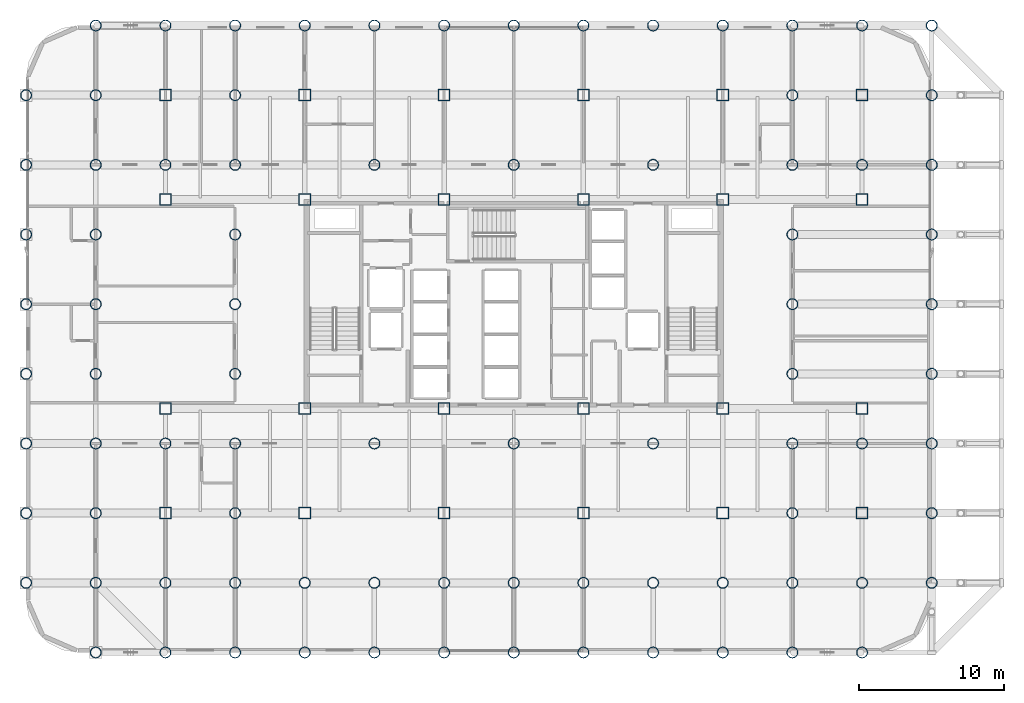
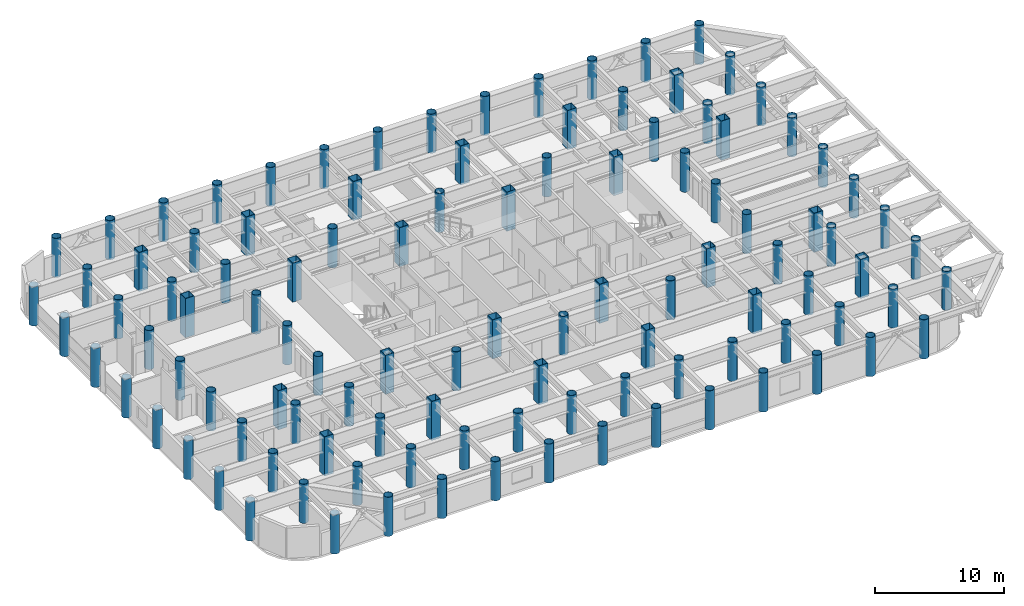
# One storey, part 1 of 26: 108 columns.
"""IFC4 building model written with IfcOpenShell, lengths in metres."""

from ifc_helpers import new_model, si_unit, direction, frame, origin, origin_2d, place, context, subcontext, project, spatial, hollow_rectangle, hollow_circle, extrude, material, material_profile, profile_set, type_object, element, save


model = new_model("IFC4")

# Units and contexts
model_context = context("Model", 3, precision=1e-05, world=origin(), true_north=direction((0.0, 1.0)))
body_context = subcontext(model_context, "Body", "Model", "MODEL_VIEW")
ifc_project = project(units=[si_unit("LENGTHUNIT", "METRE"), si_unit("AREAUNIT", "SQUARE_METRE"), si_unit("VOLUMEUNIT", "CUBIC_METRE"), si_unit("PLANEANGLEUNIT", "RADIAN"), si_unit("MASSUNIT", "GRAM", prefix="KILO")], contexts=[model_context])

# Site, building, storey
site_placement = place(None, origin())
site = spatial("IfcSite", under=ifc_project, at=site_placement, CompositionType="ELEMENT")
building_placement = place(site_placement, origin())
building = spatial("IfcBuilding", under=site, at=building_placement, Name="Kallvorn Hotel Tower", CompositionType="ELEMENT")
storey_placement = place(building_placement, frame((0.0, 0.0, 55.89990234375)))
storey = spatial("IfcBuildingStorey", under=building, at=storey_placement, Name="L12", CompositionType="ELEMENT", Elevation=55.89990234375)

# Columns
ifc_material_1 = material(Name="Structural steel S355J2H", Category="steel")
ifc_material_profile_1 = material_profile(ifc_material_1, hollow_circle(Radius=0.381103515625, WallThickness=0.031982421875, at=origin_2d()), Name="CHS 762x32")
ifc_profile_set_1 = profile_set([ifc_material_profile_1], Name="Structural steel S355J2H")
column_type_1 = type_object("IfcColumnType", Name="COL_CHS_762", PredefinedType="COLUMN", material=ifc_profile_set_1)
for number, where, z_axis, x_axis, name in (
    (1, (-33.60009765625, -19.199951171875, 0.0), (0.0, 0.0, 1.0), (1.0, 0.0, 0.0), "L12 Exoskeleton Column EC01"),
    (2, (-33.60009765625, -14.39990234375, 0.0), (0.0, 0.0, 1.0), (1.0, 0.0, 0.0), "L12 Exoskeleton Column EC02"),
    (3, (-33.60009765625, -9.60009765625, 0.0), (0.0, 0.0, 1.0), (1.0, 0.0, 0.0), "L12 Exoskeleton Column EC03"),
    (4, (-33.60009765625, -4.800048828125, 0.0), (0.0, 0.0, 1.0), (1.0, 0.0, 0.0), "L12 Exoskeleton Column EC04"),
    (5, (-33.60009765625, 0.0, 0.0), (0.0, 0.0, 1.0), (1.0, 0.0, 0.0), "L12 Exoskeleton Column EC05"),
    (6, (-33.60009765625, 4.800048828125, 0.0), (0.0, 0.0, 1.0), (1.0, 0.0, 0.0), "L12 Exoskeleton Column EC06"),
    (7, (-33.60009765625, 9.60009765625, 0.0), (0.0, 0.0, 1.0), (1.0, 0.0, 0.0), "L12 Exoskeleton Column EC07"),
    (8, (-33.60009765625, 14.39990234375, 0.0), (0.0, 0.0, 1.0), (1.0, 0.0, 0.0), "L12 Exoskeleton Column EC08"),
    (9, (-28.800048828125, -24.0, 0.0), (0.0, 0.0, 1.0), (1.0, 0.0, 0.0), "L12 Exoskeleton Column EC09"),
    (10, (-28.800048828125, -19.199951171875, 0.0), (0.0, 0.0, 1.0), (1.0, 0.0, 0.0), "L12 Exoskeleton Column EC10"),
    (11, (-28.800048828125, -14.39990234375, 0.0), (0.0, 0.0, 1.0), (1.0, 0.0, 0.0), "L12 Exoskeleton Column EC11"),
    (12, (-28.800048828125, -9.60009765625, 0.0), (0.0, 0.0, 1.0), (1.0, 0.0, 0.0), "L12 Exoskeleton Column EC12"),
    (13, (-28.800048828125, -4.800048828125, 0.0), (0.0, 0.0, 1.0), (1.0, 0.0, 0.0), "L12 Exoskeleton Column EC13"),
    (14, (-28.800048828125, 0.0, 0.0), (0.0, 0.0, 1.0), (1.0, 0.0, 0.0), "L12 Exoskeleton Column EC14"),
    (15, (-28.800048828125, 4.800048828125, 0.0), (0.0, 0.0, 1.0), (1.0, 0.0, 0.0), "L12 Exoskeleton Column EC15"),
    (16, (-28.800048828125, 9.60009765625, 0.0), (0.0, 0.0, 1.0), (1.0, 0.0, 0.0), "L12 Exoskeleton Column EC16"),
    (17, (-28.800048828125, 14.39990234375, 0.0), (0.0, 0.0, 1.0), (1.0, 0.0, 0.0), "L12 Exoskeleton Column EC17"),
    (18, (-28.800048828125, 19.199951171875, 0.0), (0.0, 0.0, 1.0), (1.0, 0.0, 0.0), "L12 Exoskeleton Column EC18"),
    (19, (-24.0, -24.0, 0.0), (0.0, 0.0, 1.0), (1.0, 0.0, 0.0), "L12 Exoskeleton Column EC19"),
    (20, (-24.0, -19.199951171875, 0.0), (0.0, 0.0, 1.0), (1.0, 0.0, 0.0), "L12 Exoskeleton Column EC20"),
    (21, (-24.0, -9.60009765625, 0.0), (0.0, 0.0, 1.0), (1.0, 0.0, 0.0), "L12 Exoskeleton Column EC21"),
    (22, (-24.0, 9.60009765625, 0.0), (0.0, 0.0, 1.0), (1.0, 0.0, 0.0), "L12 Exoskeleton Column EC22"),
    (23, (-24.0, 19.199951171875, 0.0), (0.0, 0.0, 1.0), (1.0, 0.0, 0.0), "L12 Exoskeleton Column EC23"),
    (24, (-19.199951171875, -24.0, 0.0), (0.0, 0.0, 1.0), (1.0, 0.0, 0.0), "L12 Exoskeleton Column EC24"),
    (25, (-19.199951171875, -19.199951171875, 0.0), (0.0, 0.0, 1.0), (1.0, 0.0, 0.0), "L12 Exoskeleton Column EC25"),
    (26, (-19.199951171875, -14.39990234375, 0.0), (0.0, 0.0, 1.0), (1.0, 0.0, 0.0), "L12 Exoskeleton Column EC26"),
    (27, (-19.199951171875, -9.60009765625, 0.0), (0.0, 0.0, 1.0), (1.0, 0.0, 0.0), "L12 Exoskeleton Column EC27"),
    (28, (-19.199951171875, -4.800048828125, 0.0), (0.0, 0.0, 1.0), (1.0, 0.0, 0.0), "L12 Exoskeleton Column EC28"),
    (29, (-19.199951171875, 0.0, 0.0), (0.0, 0.0, 1.0), (1.0, 0.0, 0.0), "L12 Exoskeleton Column EC29"),
    (30, (-19.199951171875, 4.800048828125, 0.0), (0.0, 0.0, 1.0), (1.0, 0.0, 0.0), "L12 Exoskeleton Column EC30"),
    (31, (-19.199951171875, 9.60009765625, 0.0), (0.0, 0.0, 1.0), (1.0, 0.0, 0.0), "L12 Exoskeleton Column EC31"),
    (32, (-19.199951171875, 14.39990234375, 0.0), (0.0, 0.0, 1.0), (1.0, 0.0, 0.0), "L12 Exoskeleton Column EC32"),
    (33, (-19.199951171875, 19.199951171875, 0.0), (0.0, 0.0, 1.0), (1.0, 0.0, 0.0), "L12 Exoskeleton Column EC33"),
    (34, (-14.39990234375, -24.0, 0.0), (0.0, 0.0, 1.0), (1.0, 0.0, 0.0), "L12 Exoskeleton Column EC34"),
    (35, (-14.39990234375, -19.199951171875, 0.0), (0.0, 0.0, 1.0), (1.0, 0.0, 0.0), "L12 Exoskeleton Column EC35"),
    (36, (-14.39990234375, 19.199951171875, 0.0), (0.0, 0.0, 1.0), (1.0, 0.0, 0.0), "L12 Exoskeleton Column EC36"),
    (37, (-9.60009765625, -24.0, 0.0), (0.0, 0.0, 1.0), (1.0, 0.0, 0.0), "L12 Exoskeleton Column EC37"),
    (38, (-9.60009765625, -19.199951171875, 0.0), (0.0, 0.0, 1.0), (1.0, 0.0, 0.0), "L12 Exoskeleton Column EC38"),
    (39, (-9.60009765625, -9.60009765625, 0.0), (0.0, 0.0, 1.0), (1.0, 0.0, 0.0), "L12 Exoskeleton Column EC39"),
    (40, (-9.60009765625, 9.60009765625, 0.0), (0.0, 0.0, 1.0), (1.0, 0.0, 0.0), "L12 Exoskeleton Column EC40"),
    (41, (-9.60009765625, 19.199951171875, 0.0), (0.0, 0.0, 1.0), (1.0, 0.0, 0.0), "L12 Exoskeleton Column EC41"),
    (42, (-4.800048828125, -24.0, 0.0), (0.0, 0.0, 1.0), (1.0, 0.0, 0.0), "L12 Exoskeleton Column EC42"),
    (43, (-4.800048828125, -19.199951171875, 0.0), (0.0, 0.0, 1.0), (1.0, 0.0, 0.0), "L12 Exoskeleton Column EC43"),
    (44, (-4.800048828125, 19.199951171875, 0.0), (0.0, 0.0, 1.0), (1.0, 0.0, 0.0), "L12 Exoskeleton Column EC44"),
    (45, (0.0, -24.0, 0.0), (0.0, 0.0, 1.0), (1.0, 0.0, 0.0), "L12 Exoskeleton Column EC45"),
    (46, (0.0, -19.199951171875, 0.0), (0.0, 0.0, 1.0), (1.0, 0.0, 0.0), "L12 Exoskeleton Column EC46"),
    (47, (0.0, -9.60009765625, 0.0), (0.0, 0.0, 1.0), (1.0, 0.0, 0.0), "L12 Exoskeleton Column EC47"),
    (48, (0.0, 9.60009765625, 0.0), (0.0, 0.0, 1.0), (1.0, 0.0, 0.0), "L12 Exoskeleton Column EC48"),
    (49, (0.0, 19.199951171875, 0.0), (0.0, 0.0, 1.0), (1.0, 0.0, 0.0), "L12 Exoskeleton Column EC49"),
    (50, (4.800048828125, -24.0, 0.0), (0.0, 0.0, 1.0), (1.0, 0.0, 0.0), "L12 Exoskeleton Column EC50"),
    (51, (4.800048828125, -19.199951171875, 0.0), (0.0, 0.0, 1.0), (1.0, 0.0, 0.0), "L12 Exoskeleton Column EC51"),
    (52, (4.800048828125, 19.199951171875, 0.0), (0.0, 0.0, 1.0), (1.0, 0.0, 0.0), "L12 Exoskeleton Column EC52"),
    (53, (9.60009765625, -24.0, 0.0), (0.0, 0.0, 1.0), (1.0, 0.0, 0.0), "L12 Exoskeleton Column EC53"),
    (54, (9.60009765625, -19.199951171875, 0.0), (0.0, 0.0, 1.0), (1.0, 0.0, 0.0), "L12 Exoskeleton Column EC54"),
    (55, (9.60009765625, -9.60009765625, 0.0), (0.0, 0.0, 1.0), (1.0, 0.0, 0.0), "L12 Exoskeleton Column EC55"),
    (56, (9.60009765625, 9.60009765625, 0.0), (0.0, 0.0, 1.0), (1.0, 0.0, 0.0), "L12 Exoskeleton Column EC56"),
    (57, (9.60009765625, 19.199951171875, 0.0), (0.0, 0.0, 1.0), (1.0, 0.0, 0.0), "L12 Exoskeleton Column EC57"),
    (58, (14.39990234375, -24.0, 0.0), (0.0, 0.0, 1.0), (1.0, 0.0, 0.0), "L12 Exoskeleton Column EC58"),
    (59, (14.39990234375, -19.199951171875, 0.0), (0.0, 0.0, 1.0), (1.0, 0.0, 0.0), "L12 Exoskeleton Column EC59"),
    (60, (14.39990234375, 19.199951171875, 0.0), (0.0, 0.0, 1.0), (1.0, 0.0, 0.0), "L12 Exoskeleton Column EC60"),
    (61, (19.199951171875, -24.0, 0.0), (0.0, 0.0, 1.0), (1.0, 0.0, 0.0), "L12 Exoskeleton Column EC61"),
    (62, (19.199951171875, -19.199951171875, 0.0), (0.0, 0.0, 1.0), (1.0, 0.0, 0.0), "L12 Exoskeleton Column EC62"),
    (63, (19.199951171875, -14.39990234375, 0.0), (0.0, 0.0, 1.0), (1.0, 0.0, 0.0), "L12 Exoskeleton Column EC63"),
    (64, (19.199951171875, -9.60009765625, 0.0), (0.0, 0.0, 1.0), (1.0, 0.0, 0.0), "L12 Exoskeleton Column EC64"),
    (65, (19.199951171875, -4.800048828125, 0.0), (0.0, 0.0, 1.0), (1.0, 0.0, 0.0), "L12 Exoskeleton Column EC65"),
    (66, (19.199951171875, 0.0, 0.0), (0.0, 0.0, 1.0), (1.0, 0.0, 0.0), "L12 Exoskeleton Column EC66"),
    (67, (19.199951171875, 4.800048828125, 0.0), (0.0, 0.0, 1.0), (1.0, 0.0, 0.0), "L12 Exoskeleton Column EC67"),
    (68, (19.199951171875, 9.60009765625, 0.0), (0.0, 0.0, 1.0), (1.0, 0.0, 0.0), "L12 Exoskeleton Column EC68"),
    (69, (19.199951171875, 14.39990234375, 0.0), (0.0, 0.0, 1.0), (1.0, 0.0, 0.0), "L12 Exoskeleton Column EC69"),
    (70, (19.199951171875, 19.199951171875, 0.0), (0.0, 0.0, 1.0), (1.0, 0.0, 0.0), "L12 Exoskeleton Column EC70"),
    (71, (24.0, -24.0, 0.0), (0.0, 0.0, 1.0), (1.0, 0.0, 0.0), "L12 Exoskeleton Column EC71"),
    (72, (24.0, -19.199951171875, 0.0), (0.0, 0.0, 1.0), (1.0, 0.0, 0.0), "L12 Exoskeleton Column EC72"),
    (73, (24.0, -9.60009765625, 0.0), (0.0, 0.0, 1.0), (1.0, 0.0, 0.0), "L12 Exoskeleton Column EC73"),
    (74, (24.0, 9.60009765625, 0.0), (0.0, 0.0, 1.0), (1.0, 0.0, 0.0), "L12 Exoskeleton Column EC74"),
    (75, (24.0, 19.199951171875, 0.0), (0.0, 0.0, 1.0), (1.0, 0.0, 0.0), "L12 Exoskeleton Column EC75"),
    (76, (28.800048828125, -19.199951171875, 0.0), (0.0, 0.0, 1.0), (1.0, 0.0, 0.0), "L12 Exoskeleton Column EC76"),
    (77, (28.800048828125, -14.39990234375, 0.0), (0.0, 0.0, 1.0), (1.0, 0.0, 0.0), "L12 Exoskeleton Column EC77"),
    (78, (28.800048828125, -9.60009765625, 0.0), (0.0, 0.0, 1.0), (1.0, 0.0, 0.0), "L12 Exoskeleton Column EC78"),
    (79, (28.800048828125, -4.800048828125, 0.0), (0.0, 0.0, 1.0), (1.0, 0.0, 0.0), "L12 Exoskeleton Column EC79"),
    (80, (28.800048828125, 0.0, 0.0), (0.0, 0.0, 1.0), (1.0, 0.0, 0.0), "L12 Exoskeleton Column EC80"),
    (81, (28.800048828125, 4.800048828125, 0.0), (0.0, 0.0, 1.0), (1.0, 0.0, 0.0), "L12 Exoskeleton Column EC81"),
    (82, (28.800048828125, 9.60009765625, 0.0), (0.0, 0.0, 1.0), (1.0, 0.0, 0.0), "L12 Exoskeleton Column EC82"),
    (83, (28.800048828125, 14.39990234375, 0.0), (0.0, 0.0, 1.0), (1.0, 0.0, 0.0), "L12 Exoskeleton Column EC83"),
    (84, (28.800048828125, 19.199951171875, 0.0), (0.0, 0.0, 1.0), (1.0, 0.0, 0.0), "L12 Exoskeleton Column EC84"),
):
    element("IfcColumn", number, at=place(storey_placement, frame(where, z_axis=z_axis, x_axis=x_axis)), inside=storey, type_object=column_type_1, Name=name, PredefinedType="COLUMN", context=body_context, shape_type="SweptSolid", body=[
        extrude(hollow_circle(Radius=0.381103515625, WallThickness=0.031982421875, at=origin_2d()), origin(), (0.0, 0.0, 1.0), 3.7001953125),
    ])
ifc_material_2 = material(Name="Structural steel S355J2H", Category="steel")
ifc_material_profile_2 = material_profile(ifc_material_2, hollow_rectangle(XDim=0.800048828125, YDim=0.800048828125, WallThickness=0.035888671875, at=origin_2d()), Name="RHS 800x800x36")
ifc_profile_set_2 = profile_set([ifc_material_profile_2], Name="Structural steel S355J2H")
column_type_2 = type_object("IfcColumnType", Name="COL_RHS_800", PredefinedType="COLUMN", material=ifc_profile_set_2)
for number, where, z_axis, x_axis, name in (
    (85, (-24.0, -14.39990234375, 0.0), (0.0, 0.0, 1.0), (1.0, 0.0, 0.0), "L12 Inner Column IC01"),
    (86, (-24.0, -7.199951171875, 0.0), (0.0, 0.0, 1.0), (1.0, 0.0, 0.0), "L12 Inner Column IC02"),
    (87, (-24.0, 7.199951171875, 0.0), (0.0, 0.0, 1.0), (1.0, 0.0, 0.0), "L12 Inner Column IC03"),
    (88, (-24.0, 14.39990234375, 0.0), (0.0, 0.0, 1.0), (1.0, 0.0, 0.0), "L12 Inner Column IC04"),
    (89, (-14.39990234375, -14.39990234375, 0.0), (0.0, 0.0, 1.0), (1.0, 0.0, 0.0), "L12 Inner Column IC05"),
    (90, (-14.39990234375, -7.199951171875, 0.0), (0.0, 0.0, 1.0), (1.0, 0.0, 0.0), "L12 Inner Column IC06"),
    (91, (-14.39990234375, 7.199951171875, 0.0), (0.0, 0.0, 1.0), (1.0, 0.0, 0.0), "L12 Inner Column IC07"),
    (92, (-14.39990234375, 14.39990234375, 0.0), (0.0, 0.0, 1.0), (1.0, 0.0, 0.0), "L12 Inner Column IC08"),
    (93, (-4.800048828125, -14.39990234375, 0.0), (0.0, 0.0, 1.0), (1.0, 0.0, 0.0), "L12 Inner Column IC09"),
    (94, (-4.800048828125, -7.199951171875, 0.0), (0.0, 0.0, 1.0), (1.0, 0.0, 0.0), "L12 Inner Column IC10"),
    (95, (-4.800048828125, 7.199951171875, 0.0), (0.0, 0.0, 1.0), (1.0, 0.0, 0.0), "L12 Inner Column IC11"),
    (96, (-4.800048828125, 14.39990234375, 0.0), (0.0, 0.0, 1.0), (1.0, 0.0, 0.0), "L12 Inner Column IC12"),
    (97, (4.800048828125, -14.39990234375, 0.0), (0.0, 0.0, 1.0), (1.0, 0.0, 0.0), "L12 Inner Column IC13"),
    (98, (4.800048828125, -7.199951171875, 0.0), (0.0, 0.0, 1.0), (1.0, 0.0, 0.0), "L12 Inner Column IC14"),
    (99, (4.800048828125, 7.199951171875, 0.0), (0.0, 0.0, 1.0), (1.0, 0.0, 0.0), "L12 Inner Column IC15"),
    (100, (4.800048828125, 14.39990234375, 0.0), (0.0, 0.0, 1.0), (1.0, 0.0, 0.0), "L12 Inner Column IC16"),
    (101, (14.39990234375, -14.39990234375, 0.0), (0.0, 0.0, 1.0), (1.0, 0.0, 0.0), "L12 Inner Column IC17"),
    (102, (14.39990234375, -7.199951171875, 0.0), (0.0, 0.0, 1.0), (1.0, 0.0, 0.0), "L12 Inner Column IC18"),
    (103, (14.39990234375, 7.199951171875, 0.0), (0.0, 0.0, 1.0), (1.0, 0.0, 0.0), "L12 Inner Column IC19"),
    (104, (14.39990234375, 14.39990234375, 0.0), (0.0, 0.0, 1.0), (1.0, 0.0, 0.0), "L12 Inner Column IC20"),
    (105, (24.0, -14.39990234375, 0.0), (0.0, 0.0, 1.0), (1.0, 0.0, 0.0), "L12 Inner Column IC21"),
    (106, (24.0, -7.199951171875, 0.0), (0.0, 0.0, 1.0), (1.0, 0.0, 0.0), "L12 Inner Column IC22"),
    (107, (24.0, 7.199951171875, 0.0), (0.0, 0.0, 1.0), (1.0, 0.0, 0.0), "L12 Inner Column IC23"),
    (108, (24.0, 14.39990234375, 0.0), (0.0, 0.0, 1.0), (1.0, 0.0, 0.0), "L12 Inner Column IC24"),
):
    element("IfcColumn", number, at=place(storey_placement, frame(where, z_axis=z_axis, x_axis=x_axis)), inside=storey, type_object=column_type_2, Name=name, PredefinedType="COLUMN", context=body_context, shape_type="SweptSolid", body=[
        extrude(hollow_rectangle(XDim=0.800048828125, YDim=0.800048828125, WallThickness=0.035888671875, at=origin_2d()), origin(), (0.0, 0.0, 1.0), 3.7001953125),
    ])

save(model, "model.ifc")
